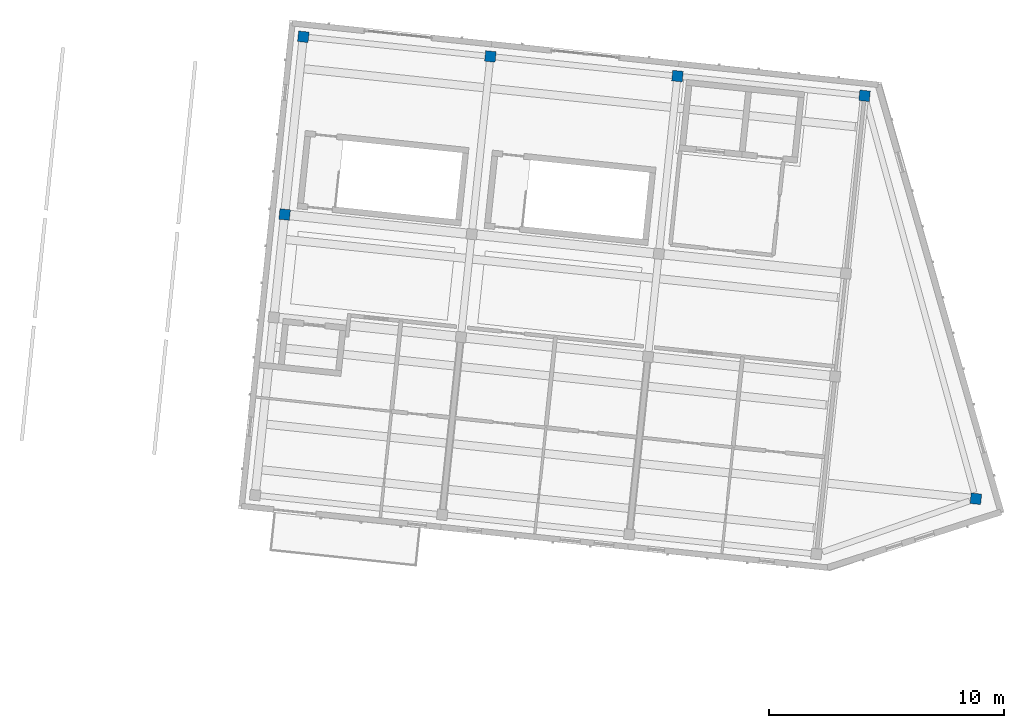
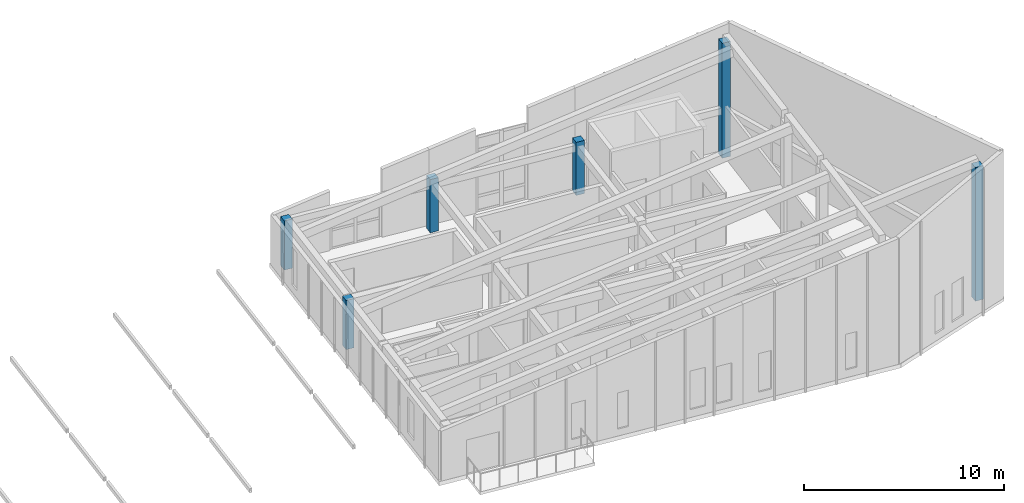
# One storey, part 2 of 31: 6 columns.
"""IFC4 building model written with IfcOpenShell, lengths in metres."""

from ifc_helpers import new_model, si_unit, direction, frame, origin, origin_2d, place, context, subcontext, project, spatial, rectangle, extrude, material, material_profile, profile_set, type_object, element, save


model = new_model("IFC4")

# Units and contexts
model_context = context("Model", 3, precision=1e-05, world=origin(), true_north=direction((0.0, 1.0)))
body_context = subcontext(model_context, "Body", "Model", "MODEL_VIEW")
ifc_project = project(units=[si_unit("LENGTHUNIT", "METRE"), si_unit("AREAUNIT", "SQUARE_METRE"), si_unit("VOLUMEUNIT", "CUBIC_METRE"), si_unit("PLANEANGLEUNIT", "RADIAN"), si_unit("MASSUNIT", "GRAM", prefix="KILO")], contexts=[model_context])

# Site, building, storey
site_placement = place(None, origin())
site = spatial("IfcSite", under=ifc_project, at=site_placement, CompositionType="ELEMENT")
building_placement = place(site_placement, origin())
building = spatial("IfcBuilding", under=site, at=building_placement, Name="Kestramere Prow Commons", CompositionType="ELEMENT")
storey_placement = place(building_placement, frame((0.0, 0.0, 37.64990234375)))
storey = spatial("IfcBuildingStorey", under=building, at=storey_placement, Name="L11", CompositionType="ELEMENT", Elevation=37.64990234375)

# Columns
ifc_material = material(Name="Precast concrete C40/50", Category="concrete")
ifc_material_profile = material_profile(ifc_material, rectangle(XDim=0.449951171875, YDim=0.449951171875, at=origin_2d()), Name="PC-COL 450x450")
ifc_profile_set = profile_set([ifc_material_profile], Name="Precast concrete C40/50")
column_type = type_object("IfcColumnType", Name="C-B3 PC-COL 450x450", PredefinedType="COLUMN", material=ifc_profile_set)
for number, where, z_axis, x_axis, name in (
    (1, (135.122802734375, 104.2255859375, 0.0), (0.0, 0.0, 1.0), (0.994521895368, -0.104528463268, 0.0), "Block B L11 Column 4-3"),
    (2, (135.917236328125, 111.783935546875, 0.0), (0.0, 0.0, 1.0), (0.994521895368, -0.104528463268, 0.0), "Block B L11 Column 4-4"),
):
    element("IfcColumn", number, at=place(storey_placement, frame(where, z_axis=z_axis, x_axis=x_axis)), inside=storey, type_object=column_type, Name=name, PredefinedType="COLUMN", context=body_context, shape_type="SweptSolid", body=[
        extrude(rectangle(XDim=0.449951171875, YDim=0.449951171875, at=origin_2d()), origin(), (0.0, 0.0, 1.0), 3.0),
    ])
for number, where, z_axis, x_axis, name in (
    (3, (143.87353515625, 110.94775390625, 0.0), (0.0, 0.0, 1.0), (0.994521895368, -0.104528463268, 0.0), "Block B L11 Column 5-4"),
    (4, (151.82958984375, 110.111572265625, 0.0), (0.0, 0.0, 1.0), (0.994521895368, -0.104528463268, 0.0), "Block B L11 Column 6-4"),
):
    element("IfcColumn", number, at=place(storey_placement, frame(where, z_axis=z_axis, x_axis=x_axis)), inside=storey, type_object=column_type, Name=name, PredefinedType="COLUMN", context=body_context, shape_type="SweptSolid", body=[
        extrude(rectangle(XDim=0.449951171875, YDim=0.449951171875, at=origin_2d()), origin(), (0.0, 0.0, 1.0), 3.25),
    ])
column_1_placement = place(storey_placement, frame((159.785888671875, 109.275146484375, 0.0), z_axis=(0.0, 0.0, 1.0), x_axis=(0.994521895368, -0.104528463268, 0.0)))
element("IfcColumn", 5, at=column_1_placement, inside=storey, type_object=column_type, Name="Block B L11 Column 7-4", PredefinedType="COLUMN", context=body_context, shape_type="SweptSolid", body=[
    extrude(rectangle(XDim=0.449951171875, YDim=0.449951171875, at=origin_2d()), origin(), (0.0, 0.0, 1.0), 7.023193359375),
])
column_2_placement = place(storey_placement, frame((164.520263671875, 92.136474609375, 0.0), z_axis=(0.0, 0.0, 1.0), x_axis=(0.994521895368, -0.104528463268, 0.0)))
element("IfcColumn", 6, at=column_2_placement, inside=storey, type_object=column_type, Name="Block B L11 Prow Apex Column", PredefinedType="COLUMN", context=body_context, shape_type="SweptSolid", body=[
    extrude(rectangle(XDim=0.449951171875, YDim=0.449951171875, at=origin_2d()), origin(), (0.0, 0.0, 1.0), 8.159423828125),
])

save(model, "model.ifc")
